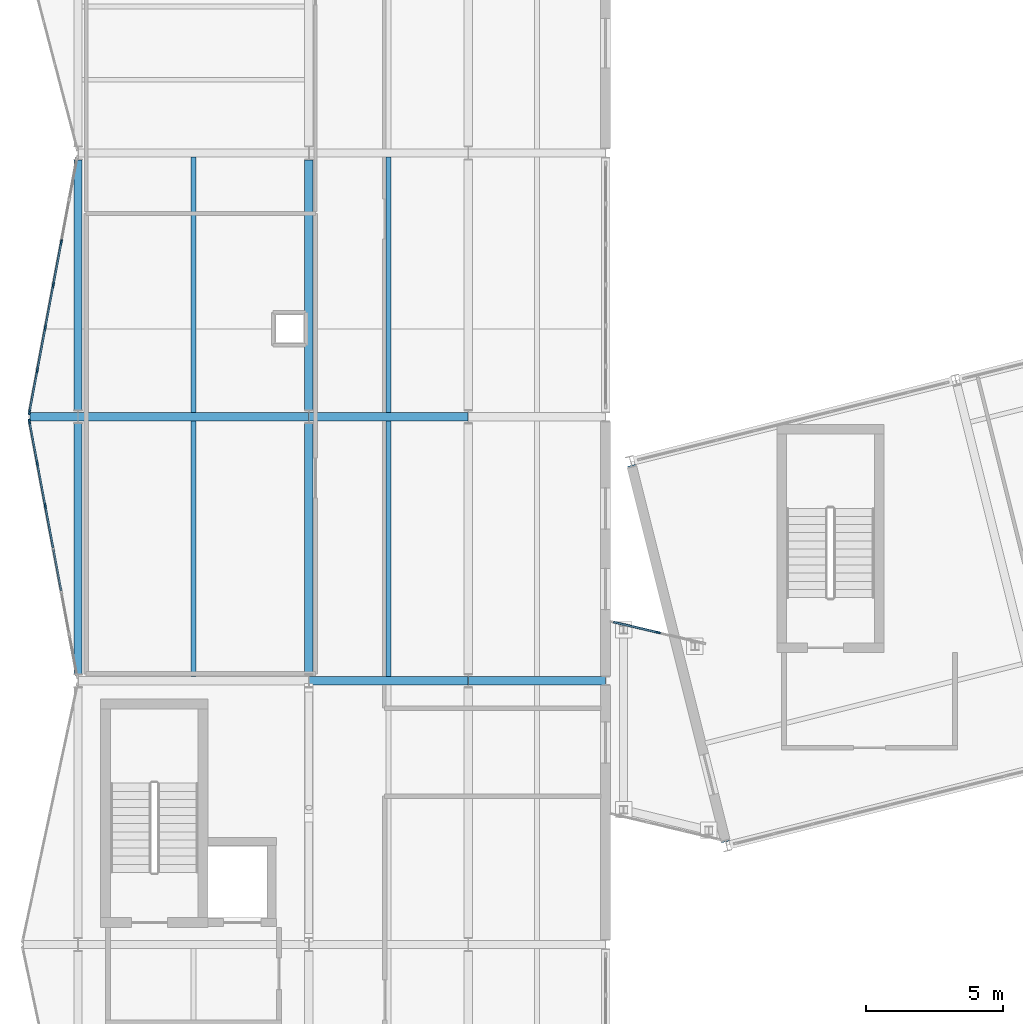
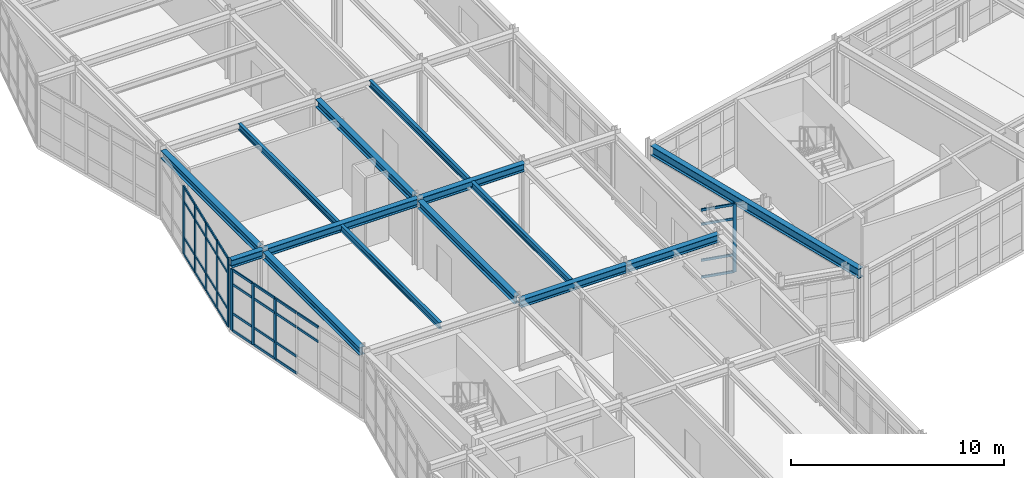
# One storey, part 16 of 76: 43 members, 14 beams, 3 elements without a shape of their own.
"""IFC4 building model written with IfcOpenShell, lengths in metres."""

from ifc_helpers import new_model, si_unit, direction, frame, origin, origin_2d, place, context, subcontext, project, spatial, rectangle, i_section, extrude, material, layer, layer_set, material_profile, profile_set, type_object, element, aggregate, save


model = new_model("IFC4")

# Units and contexts
model_context = context("Model", 3, precision=1e-05, world=origin(), true_north=direction((0.0, 1.0)))
body_context = subcontext(model_context, "Body", "Model", "MODEL_VIEW")
ifc_project = project(units=[si_unit("LENGTHUNIT", "METRE"), si_unit("AREAUNIT", "SQUARE_METRE"), si_unit("VOLUMEUNIT", "CUBIC_METRE"), si_unit("PLANEANGLEUNIT", "RADIAN"), si_unit("MASSUNIT", "GRAM", prefix="KILO")], contexts=[model_context])

# Site, building, storey
site_placement = place(None, origin())
site = spatial("IfcSite", under=ifc_project, at=site_placement, CompositionType="ELEMENT")
building_placement = place(site_placement, origin())
building = spatial("IfcBuilding", under=site, at=building_placement, Name="Nordkorset Police Headquarters", CompositionType="ELEMENT")
storey_placement = place(building_placement, frame((0.0, 0.0, 13.64990234375)))
storey = spatial("IfcBuildingStorey", under=building, at=storey_placement, Name="L03", CompositionType="ELEMENT", Elevation=13.64990234375)

# Beams
ifc_material_1 = material(Name="Steel S355J2", Category="steel")
ifc_material_profile_1 = material_profile(ifc_material_1, i_section(OverallWidth=0.169921875, OverallDepth=0.360107421875, WebThickness=0.008056640625, FlangeThickness=0.0126953125, FilletRadius=0.01806640625, at=origin_2d()), Name="IPE 360")
ifc_profile_set_1 = profile_set([ifc_material_profile_1], Name="Steel S355J2")
beam_type_1 = type_object("IfcBeamType", Name="Beam_IPE_360", PredefinedType="BEAM", material=ifc_profile_set_1)
for number, where, z_axis, x_axis, name in (
    (1, (4.199951171875, 48.14990234375, 3.800048828125), (0.0, 1.0, 0.0), (-1.0, 0.0, 0.0), "Composite Floor Beam V3 L03 0-2-1"),
    (2, (4.199951171875, 57.75, 3.800048828125), (0.0, 1.0, 0.0), (-1.0, 0.0, 0.0), "Composite Floor Beam V3 L03 0-3-1"),
    (3, (11.300048828125, 48.14990234375, 3.800048828125), (0.0, 1.0, 0.0), (-1.0, 0.0, 0.0), "Composite Floor Beam V3 L03 1-2-1"),
    (4, (11.300048828125, 57.75, 3.800048828125), (0.0, 1.0, 0.0), (-1.0, 0.0, 0.0), "Composite Floor Beam V3 L03 1-3-1"),
):
    element("IfcBeam", number, at=place(storey_placement, frame(where, z_axis=z_axis, x_axis=x_axis)), inside=storey, type_object=beam_type_1, Name=name, PredefinedType="BEAM", context=body_context, shape_type="SweptSolid", body=[
        extrude(i_section(OverallWidth=0.169921875, OverallDepth=0.360107421875, WebThickness=0.008056640625, FlangeThickness=0.0126953125, FilletRadius=0.01806640625, at=origin_2d()), origin(), (0.0, 0.0, 1.0), 9.300048828125),
    ])

# Curtain wall, members
ifc_material_2 = material(Name="Aluminium alloy AW-6060", Category="aluminium")
ifc_layer_1 = layer(ifc_material_2, 0.179931640625, Name="Aluminium alloy AW-6060")
ifc_layer_set_1 = layer_set([ifc_layer_1], Name="Aluminium alloy AW-6060")
curtain_wall_type_1 = type_object("IfcCurtainWallType", Name="CW_Unit_949x352", PredefinedType="USERDEFINED", material=ifc_layer_set_1)
curtain_wall_1_placement = place(storey_placement, origin())
curtain_wall_1 = element("IfcCurtainWall", 5, at=curtain_wall_1_placement, inside=storey, type_object=curtain_wall_type_1, Name="Unitised Curtain Wall L03 V3W-2", ObjectType="UNITISED CURTAIN WALL", PredefinedType="USERDEFINED")
ifc_material_3 = material(Name="Aluminium alloy AW-6060", Category="aluminium")
ifc_material_profile_2 = material_profile(ifc_material_3, rectangle(XDim=0.06494140625, YDim=0.179931640625, at=origin_2d()), Name="ALU MULL 65x180")
ifc_profile_set_2 = profile_set([ifc_material_profile_2], Name="Aluminium alloy AW-6060")
member_type_1 = type_object("IfcMemberType", Name="CW_Mullion_65x180", PredefinedType="MULLION", material=ifc_profile_set_2)
member_1_placement = place(storey_placement, frame((-1.19140625, 54.354248046875, 0.0), z_axis=(0.0, 0.0, 1.0), x_axis=(-0.982872186935, -0.184288535048, 0.0)))
member_1 = element("IfcMember", 6, at=member_1_placement, type_object=member_type_1, Name="CW-84 mullion 5", PredefinedType="MULLION", context=body_context, shape_type="SweptSolid", body=[
    extrude(rectangle(XDim=0.06494140625, YDim=0.179931640625, at=origin_2d()), origin(), (0.0, 0.0, 1.0), 3.52001953125),
])
member_2_placement = place(storey_placement, frame((-1.48291015625, 55.908203125, 0.0), z_axis=(0.0, 0.0, 1.0), x_axis=(-0.982872186935, -0.184288535048, 0.0)))
member_2 = element("IfcMember", 7, at=member_2_placement, type_object=member_type_1, Name="CW-84 mullion 6", PredefinedType="MULLION", context=body_context, shape_type="SweptSolid", body=[
    extrude(rectangle(XDim=0.06494140625, YDim=0.179931640625, at=origin_2d()), origin(), (0.0, 0.0, 1.0), 3.52001953125),
])
member_3_placement = place(storey_placement, frame((-1.768310546875, 57.430419921875, 0.0), z_axis=(0.0, 0.0, 1.0), x_axis=(-0.982872186935, -0.184288535048, 0.0)))
member_3 = element("IfcMember", 8, at=member_3_placement, type_object=member_type_1, Name="CW-84 mullion 7", PredefinedType="MULLION", context=body_context, shape_type="SweptSolid", body=[
    extrude(rectangle(XDim=0.06494140625, YDim=0.179931640625, at=origin_2d()), origin(), (0.0, 0.0, 1.0), 3.52001953125),
])

ifc_material_4 = material(Name="Aluminium alloy AW-6060", Category="aluminium")
ifc_layer_2 = layer(ifc_material_4, 0.179931640625, Name="Aluminium alloy AW-6060")
ifc_layer_set_2 = layer_set([ifc_layer_2], Name="Aluminium alloy AW-6060")
curtain_wall_type_2 = type_object("IfcCurtainWallType", Name="CW_Unit_949x392", PredefinedType="USERDEFINED", material=ifc_layer_set_2)
curtain_wall_2_placement = place(storey_placement, origin())
curtain_wall_2 = element("IfcCurtainWall", 9, at=curtain_wall_2_placement, inside=storey, type_object=curtain_wall_type_2, Name="Unitised Curtain Wall L03 V3W-3", ObjectType="UNITISED CURTAIN WALL", PredefinedType="USERDEFINED")
member_4_placement = place(storey_placement, frame((-1.768310546875, 57.76953125, 0.0), z_axis=(0.0, 0.0, 1.0), x_axis=(-0.982872186935, 0.184288535048, 0.0)))
member_4 = element("IfcMember", 10, at=member_4_placement, type_object=member_type_1, Name="CW-49 mullion 1", PredefinedType="MULLION", context=body_context, shape_type="SweptSolid", body=[
    extrude(rectangle(XDim=0.06494140625, YDim=0.179931640625, at=origin_2d()), origin(), (0.0, 0.0, 1.0), 3.920166015625),
])
member_5_placement = place(storey_placement, frame((-1.48291015625, 59.291748046875, 0.0), z_axis=(0.0, 0.0, 1.0), x_axis=(-0.982872186935, 0.184288535048, 0.0)))
member_5 = element("IfcMember", 11, at=member_5_placement, type_object=member_type_1, Name="CW-49 mullion 2", PredefinedType="MULLION", context=body_context, shape_type="SweptSolid", body=[
    extrude(rectangle(XDim=0.06494140625, YDim=0.179931640625, at=origin_2d()), origin(), (0.0, 0.0, 1.0), 3.920166015625),
])
member_6_placement = place(storey_placement, frame((-1.19140625, 60.845947265625, 0.0), z_axis=(0.0, 0.0, 1.0), x_axis=(-0.982872186935, 0.184288535048, 0.0)))
member_6 = element("IfcMember", 12, at=member_6_placement, type_object=member_type_1, Name="CW-49 mullion 3", PredefinedType="MULLION", context=body_context, shape_type="SweptSolid", body=[
    extrude(rectangle(XDim=0.06494140625, YDim=0.179931640625, at=origin_2d()), origin(), (0.0, 0.0, 1.0), 3.920166015625),
])
member_7_placement = place(storey_placement, frame((-0.89990234375, 62.39990234375, 0.0), z_axis=(0.0, 0.0, 1.0), x_axis=(-0.982872186935, 0.184288535048, 0.0)))
member_7 = element("IfcMember", 13, at=member_7_placement, type_object=member_type_1, Name="CW-49 mullion 4", PredefinedType="MULLION", context=body_context, shape_type="SweptSolid", body=[
    extrude(rectangle(XDim=0.06494140625, YDim=0.179931640625, at=origin_2d()), origin(), (0.0, 0.0, 1.0), 3.920166015625),
])
member_8_placement = place(storey_placement, frame((-0.608642578125, 63.9541015625, 0.0), z_axis=(0.0, 0.0, 1.0), x_axis=(-0.982872186935, 0.184288535048, 0.0)))
member_8 = element("IfcMember", 14, at=member_8_placement, type_object=member_type_1, Name="CW-49 mullion 5", PredefinedType="MULLION", context=body_context, shape_type="SweptSolid", body=[
    extrude(rectangle(XDim=0.06494140625, YDim=0.179931640625, at=origin_2d()), origin(), (0.0, 0.0, 1.0), 3.920166015625),
])

# Curtain wall, member
ifc_material_5 = material(Name="Aluminium alloy AW-6060", Category="aluminium")
ifc_layer_3 = layer(ifc_material_5, 0.179931640625, Name="Aluminium alloy AW-6060")
ifc_layer_set_3 = layer_set([ifc_layer_3], Name="Aluminium alloy AW-6060")
curtain_wall_type_3 = type_object("IfcCurtainWallType", Name="CW_Unit_344x392", PredefinedType="USERDEFINED", material=ifc_layer_set_3)
curtain_wall_3_placement = place(storey_placement, origin())
curtain_wall_3 = element("IfcCurtainWall", 15, at=curtain_wall_3_placement, inside=storey, type_object=curtain_wall_type_3, Name="Unitised Curtain Wall L03 BRGW-N", ObjectType="UNITISED CURTAIN WALL", PredefinedType="USERDEFINED")
member_9_placement = place(storey_placement, frame((21.10009765625, 49.7548828125, 0.0), z_axis=(0.0, 0.0, 1.0), x_axis=(0.228892896387, 0.973451612554, 0.0)))
member_9 = element("IfcMember", 16, at=member_9_placement, type_object=member_type_1, Name="CW-51 mullion 2", PredefinedType="MULLION", context=body_context, shape_type="SweptSolid", body=[
    extrude(rectangle(XDim=0.06494140625, YDim=0.179931640625, at=origin_2d()), origin(), (0.0, 0.0, 1.0), 3.920166015625),
])

# Member
ifc_material_6 = material(Name="Aluminium alloy AW-6060", Category="aluminium")
ifc_material_profile_3 = material_profile(ifc_material_6, rectangle(XDim=0.06494140625, YDim=0.139892578125, at=origin_2d()), Name="ALU TRAN 65x140")
ifc_profile_set_3 = profile_set([ifc_material_profile_3], Name="Aluminium alloy AW-6060")
member_type_2 = type_object("IfcMemberType", Name="CW_Transom_65x140", PredefinedType="USERDEFINED", material=ifc_profile_set_3)
member_10_placement = place(storey_placement, frame((-0.614501953125, 51.27783203125, 2.670166015625), z_axis=(-0.1843663095, 0.98285760104, 0.0), x_axis=(-0.98285760104, -0.1843663095, 0.0)))
member_10 = element("IfcMember", 17, at=member_10_placement, type_object=member_type_2, Name="CW-84 transom 3.3", ObjectType="TRANSOM", PredefinedType="USERDEFINED", context=body_context, shape_type="SweptSolid", body=[
    extrude(rectangle(XDim=0.06494140625, YDim=0.139892578125, at=origin_2d()), origin(), (0.0, 0.0, 1.0), 1.51611328125),
])

member_11_placement = place(storey_placement, frame((-0.614501953125, 51.27783203125, 3.487548828125), z_axis=(-0.1843663095, 0.98285760104, 0.0), x_axis=(-0.98285760104, -0.1843663095, 0.0)))
member_11 = element("IfcMember", 18, at=member_11_placement, type_object=member_type_2, Name="CW-84 transom 3.4", ObjectType="TRANSOM", PredefinedType="USERDEFINED", context=body_context, shape_type="SweptSolid", body=[
    extrude(rectangle(XDim=0.06494140625, YDim=0.139892578125, at=origin_2d()), origin(), (0.0, 0.0, 1.0), 1.51611328125),
])

member_12_placement = place(storey_placement, frame((-0.906005859375, 52.83203125, 0.03271484375), z_axis=(-0.184210757138, 0.982886767107, 0.0), x_axis=(-0.982886767107, -0.184210757138, 0.0)))
member_12 = element("IfcMember", 19, at=member_12_placement, type_object=member_type_2, Name="CW-84 transom 4.1", ObjectType="TRANSOM", PredefinedType="USERDEFINED", context=body_context, shape_type="SweptSolid", body=[
    extrude(rectangle(XDim=0.06494140625, YDim=0.139892578125, at=origin_2d()), origin(), (0.0, 0.0, 1.0), 1.51611328125),
])

member_13_placement = place(storey_placement, frame((-0.906005859375, 52.83203125, 1.0), z_axis=(-0.184210757138, 0.982886767107, 0.0), x_axis=(-0.982886767107, -0.184210757138, 0.0)))
member_13 = element("IfcMember", 20, at=member_13_placement, type_object=member_type_2, Name="CW-84 transom 4.2", ObjectType="TRANSOM", PredefinedType="USERDEFINED", context=body_context, shape_type="SweptSolid", body=[
    extrude(rectangle(XDim=0.06494140625, YDim=0.139892578125, at=origin_2d()), origin(), (0.0, 0.0, 1.0), 1.51611328125),
])

member_14_placement = place(storey_placement, frame((-0.906005859375, 52.83203125, 2.670166015625), z_axis=(-0.184210757138, 0.982886767107, 0.0), x_axis=(-0.982886767107, -0.184210757138, 0.0)))
member_14 = element("IfcMember", 21, at=member_14_placement, type_object=member_type_2, Name="CW-84 transom 4.3", ObjectType="TRANSOM", PredefinedType="USERDEFINED", context=body_context, shape_type="SweptSolid", body=[
    extrude(rectangle(XDim=0.06494140625, YDim=0.139892578125, at=origin_2d()), origin(), (0.0, 0.0, 1.0), 1.51611328125),
])

member_15_placement = place(storey_placement, frame((-0.906005859375, 52.83203125, 3.487548828125), z_axis=(-0.184210757138, 0.982886767107, 0.0), x_axis=(-0.982886767107, -0.184210757138, 0.0)))
member_15 = element("IfcMember", 22, at=member_15_placement, type_object=member_type_2, Name="CW-84 transom 4.4", ObjectType="TRANSOM", PredefinedType="USERDEFINED", context=body_context, shape_type="SweptSolid", body=[
    extrude(rectangle(XDim=0.06494140625, YDim=0.139892578125, at=origin_2d()), origin(), (0.0, 0.0, 1.0), 1.51611328125),
])

member_16_placement = place(storey_placement, frame((-1.197509765625, 54.385986328125, 0.03271484375), z_axis=(-0.184210757138, 0.982886767107, 0.0), x_axis=(-0.982886767107, -0.184210757138, 0.0)))
member_16 = element("IfcMember", 23, at=member_16_placement, type_object=member_type_2, Name="CW-84 transom 5.1", ObjectType="TRANSOM", PredefinedType="USERDEFINED", context=body_context, shape_type="SweptSolid", body=[
    extrude(rectangle(XDim=0.06494140625, YDim=0.139892578125, at=origin_2d()), origin(), (0.0, 0.0, 1.0), 1.51611328125),
])

member_17_placement = place(storey_placement, frame((-1.197509765625, 54.385986328125, 1.0), z_axis=(-0.184210757138, 0.982886767107, 0.0), x_axis=(-0.982886767107, -0.184210757138, 0.0)))
member_17 = element("IfcMember", 24, at=member_17_placement, type_object=member_type_2, Name="CW-84 transom 5.2", ObjectType="TRANSOM", PredefinedType="USERDEFINED", context=body_context, shape_type="SweptSolid", body=[
    extrude(rectangle(XDim=0.06494140625, YDim=0.139892578125, at=origin_2d()), origin(), (0.0, 0.0, 1.0), 1.51611328125),
])

member_18_placement = place(storey_placement, frame((-1.197509765625, 54.385986328125, 2.670166015625), z_axis=(-0.184210757138, 0.982886767107, 0.0), x_axis=(-0.982886767107, -0.184210757138, 0.0)))
member_18 = element("IfcMember", 25, at=member_18_placement, type_object=member_type_2, Name="CW-84 transom 5.3", ObjectType="TRANSOM", PredefinedType="USERDEFINED", context=body_context, shape_type="SweptSolid", body=[
    extrude(rectangle(XDim=0.06494140625, YDim=0.139892578125, at=origin_2d()), origin(), (0.0, 0.0, 1.0), 1.51611328125),
])

member_19_placement = place(storey_placement, frame((-1.197509765625, 54.385986328125, 3.487548828125), z_axis=(-0.184210757138, 0.982886767107, 0.0), x_axis=(-0.982886767107, -0.184210757138, 0.0)))
member_19 = element("IfcMember", 26, at=member_19_placement, type_object=member_type_2, Name="CW-84 transom 5.4", ObjectType="TRANSOM", PredefinedType="USERDEFINED", context=body_context, shape_type="SweptSolid", body=[
    extrude(rectangle(XDim=0.06494140625, YDim=0.139892578125, at=origin_2d()), origin(), (0.0, 0.0, 1.0), 1.51611328125),
])

member_20_placement = place(storey_placement, frame((-1.48876953125, 55.940185546875, 0.03271484375), z_axis=(-0.184298470268, 0.982870324029, 0.0), x_axis=(-0.982870324029, -0.184298470268, 0.0)))
member_20 = element("IfcMember", 27, at=member_20_placement, type_object=member_type_2, Name="CW-84 transom 6.1", ObjectType="TRANSOM", PredefinedType="USERDEFINED", context=body_context, shape_type="SweptSolid", body=[
    extrude(rectangle(XDim=0.06494140625, YDim=0.139892578125, at=origin_2d()), origin(), (0.0, 0.0, 1.0), 1.483642578125),
])

member_21_placement = place(storey_placement, frame((-1.48876953125, 55.940185546875, 1.0), z_axis=(-0.184298470268, 0.982870324029, 0.0), x_axis=(-0.982870324029, -0.184298470268, 0.0)))
member_21 = element("IfcMember", 28, at=member_21_placement, type_object=member_type_2, Name="CW-84 transom 6.2", ObjectType="TRANSOM", PredefinedType="USERDEFINED", context=body_context, shape_type="SweptSolid", body=[
    extrude(rectangle(XDim=0.06494140625, YDim=0.139892578125, at=origin_2d()), origin(), (0.0, 0.0, 1.0), 1.483642578125),
])

member_22_placement = place(storey_placement, frame((-1.48876953125, 55.940185546875, 2.670166015625), z_axis=(-0.184298470268, 0.982870324029, 0.0), x_axis=(-0.982870324029, -0.184298470268, 0.0)))
member_22 = element("IfcMember", 29, at=member_22_placement, type_object=member_type_2, Name="CW-84 transom 6.3", ObjectType="TRANSOM", PredefinedType="USERDEFINED", context=body_context, shape_type="SweptSolid", body=[
    extrude(rectangle(XDim=0.06494140625, YDim=0.139892578125, at=origin_2d()), origin(), (0.0, 0.0, 1.0), 1.483642578125),
])

member_23_placement = place(storey_placement, frame((-1.48876953125, 55.940185546875, 3.487548828125), z_axis=(-0.184298470268, 0.982870324029, 0.0), x_axis=(-0.982870324029, -0.184298470268, 0.0)))
member_23 = element("IfcMember", 30, at=member_23_placement, type_object=member_type_2, Name="CW-84 transom 6.4", ObjectType="TRANSOM", PredefinedType="USERDEFINED", context=body_context, shape_type="SweptSolid", body=[
    extrude(rectangle(XDim=0.06494140625, YDim=0.139892578125, at=origin_2d()), origin(), (0.0, 0.0, 1.0), 1.483642578125),
])

aggregate(curtain_wall_1, [member_1, member_2, member_3, member_10, member_11, member_12, member_13, member_14, member_15, member_16, member_17, member_18, member_19, member_20, member_21, member_22, member_23])

member_24_placement = place(storey_placement, frame((-1.76220703125, 57.801513671875, 0.03271484375), z_axis=(0.184298470268, 0.982870324029, 0.0), x_axis=(-0.982870324029, 0.184298470268, 0.0)))
member_24 = element("IfcMember", 31, at=member_24_placement, type_object=member_type_2, Name="CW-49 transom 1.1", ObjectType="TRANSOM", PredefinedType="USERDEFINED", context=body_context, shape_type="SweptSolid", body=[
    extrude(rectangle(XDim=0.06494140625, YDim=0.139892578125, at=origin_2d()), origin(), (0.0, 0.0, 1.0), 1.483642578125),
])

member_25_placement = place(storey_placement, frame((-1.76220703125, 57.801513671875, 1.0), z_axis=(0.184298470268, 0.982870324029, 0.0), x_axis=(-0.982870324029, 0.184298470268, 0.0)))
member_25 = element("IfcMember", 32, at=member_25_placement, type_object=member_type_2, Name="CW-49 transom 1.2", ObjectType="TRANSOM", PredefinedType="USERDEFINED", context=body_context, shape_type="SweptSolid", body=[
    extrude(rectangle(XDim=0.06494140625, YDim=0.139892578125, at=origin_2d()), origin(), (0.0, 0.0, 1.0), 1.483642578125),
])

member_26_placement = place(storey_placement, frame((-1.76220703125, 57.801513671875, 3.070068359375), z_axis=(0.184298470268, 0.982870324029, 0.0), x_axis=(-0.982870324029, 0.184298470268, 0.0)))
member_26 = element("IfcMember", 33, at=member_26_placement, type_object=member_type_2, Name="CW-49 transom 1.3", ObjectType="TRANSOM", PredefinedType="USERDEFINED", context=body_context, shape_type="SweptSolid", body=[
    extrude(rectangle(XDim=0.06494140625, YDim=0.139892578125, at=origin_2d()), origin(), (0.0, 0.0, 1.0), 1.483642578125),
])

member_27_placement = place(storey_placement, frame((-1.76220703125, 57.801513671875, 3.8876953125), z_axis=(0.184298470268, 0.982870324029, 0.0), x_axis=(-0.982870324029, 0.184298470268, 0.0)))
member_27 = element("IfcMember", 34, at=member_27_placement, type_object=member_type_2, Name="CW-49 transom 1.4", ObjectType="TRANSOM", PredefinedType="USERDEFINED", context=body_context, shape_type="SweptSolid", body=[
    extrude(rectangle(XDim=0.06494140625, YDim=0.139892578125, at=origin_2d()), origin(), (0.0, 0.0, 1.0), 1.483642578125),
])

member_28_placement = place(storey_placement, frame((-1.476806640625, 59.32373046875, 0.03271484375), z_axis=(0.184210757138, 0.982886767107, 0.0), x_axis=(-0.982886767107, 0.184210757138, 0.0)))
member_28 = element("IfcMember", 35, at=member_28_placement, type_object=member_type_2, Name="CW-49 transom 2.1", ObjectType="TRANSOM", PredefinedType="USERDEFINED", context=body_context, shape_type="SweptSolid", body=[
    extrude(rectangle(XDim=0.06494140625, YDim=0.139892578125, at=origin_2d()), origin(), (0.0, 0.0, 1.0), 1.51611328125),
])

member_29_placement = place(storey_placement, frame((-1.476806640625, 59.32373046875, 1.0), z_axis=(0.184210757138, 0.982886767107, 0.0), x_axis=(-0.982886767107, 0.184210757138, 0.0)))
member_29 = element("IfcMember", 36, at=member_29_placement, type_object=member_type_2, Name="CW-49 transom 2.2", ObjectType="TRANSOM", PredefinedType="USERDEFINED", context=body_context, shape_type="SweptSolid", body=[
    extrude(rectangle(XDim=0.06494140625, YDim=0.139892578125, at=origin_2d()), origin(), (0.0, 0.0, 1.0), 1.51611328125),
])

member_30_placement = place(storey_placement, frame((-1.476806640625, 59.32373046875, 3.070068359375), z_axis=(0.184210757138, 0.982886767107, 0.0), x_axis=(-0.982886767107, 0.184210757138, 0.0)))
member_30 = element("IfcMember", 37, at=member_30_placement, type_object=member_type_2, Name="CW-49 transom 2.3", ObjectType="TRANSOM", PredefinedType="USERDEFINED", context=body_context, shape_type="SweptSolid", body=[
    extrude(rectangle(XDim=0.06494140625, YDim=0.139892578125, at=origin_2d()), origin(), (0.0, 0.0, 1.0), 1.51611328125),
])

member_31_placement = place(storey_placement, frame((-1.476806640625, 59.32373046875, 3.8876953125), z_axis=(0.184210757138, 0.982886767107, 0.0), x_axis=(-0.982886767107, 0.184210757138, 0.0)))
member_31 = element("IfcMember", 38, at=member_31_placement, type_object=member_type_2, Name="CW-49 transom 2.4", ObjectType="TRANSOM", PredefinedType="USERDEFINED", context=body_context, shape_type="SweptSolid", body=[
    extrude(rectangle(XDim=0.06494140625, YDim=0.139892578125, at=origin_2d()), origin(), (0.0, 0.0, 1.0), 1.51611328125),
])

member_32_placement = place(storey_placement, frame((-1.185302734375, 60.8779296875, 0.03271484375), z_axis=(0.184210757138, 0.982886767107, 0.0), x_axis=(-0.982886767107, 0.184210757138, 0.0)))
member_32 = element("IfcMember", 39, at=member_32_placement, type_object=member_type_2, Name="CW-49 transom 3.1", ObjectType="TRANSOM", PredefinedType="USERDEFINED", context=body_context, shape_type="SweptSolid", body=[
    extrude(rectangle(XDim=0.06494140625, YDim=0.139892578125, at=origin_2d()), origin(), (0.0, 0.0, 1.0), 1.51611328125),
])

member_33_placement = place(storey_placement, frame((-1.185302734375, 60.8779296875, 1.0), z_axis=(0.184210757138, 0.982886767107, 0.0), x_axis=(-0.982886767107, 0.184210757138, 0.0)))
member_33 = element("IfcMember", 40, at=member_33_placement, type_object=member_type_2, Name="CW-49 transom 3.2", ObjectType="TRANSOM", PredefinedType="USERDEFINED", context=body_context, shape_type="SweptSolid", body=[
    extrude(rectangle(XDim=0.06494140625, YDim=0.139892578125, at=origin_2d()), origin(), (0.0, 0.0, 1.0), 1.51611328125),
])

member_34_placement = place(storey_placement, frame((-1.185302734375, 60.8779296875, 3.070068359375), z_axis=(0.184210757138, 0.982886767107, 0.0), x_axis=(-0.982886767107, 0.184210757138, 0.0)))
member_34 = element("IfcMember", 41, at=member_34_placement, type_object=member_type_2, Name="CW-49 transom 3.3", ObjectType="TRANSOM", PredefinedType="USERDEFINED", context=body_context, shape_type="SweptSolid", body=[
    extrude(rectangle(XDim=0.06494140625, YDim=0.139892578125, at=origin_2d()), origin(), (0.0, 0.0, 1.0), 1.51611328125),
])

member_35_placement = place(storey_placement, frame((-1.185302734375, 60.8779296875, 3.8876953125), z_axis=(0.184210757138, 0.982886767107, 0.0), x_axis=(-0.982886767107, 0.184210757138, 0.0)))
member_35 = element("IfcMember", 42, at=member_35_placement, type_object=member_type_2, Name="CW-49 transom 3.4", ObjectType="TRANSOM", PredefinedType="USERDEFINED", context=body_context, shape_type="SweptSolid", body=[
    extrude(rectangle(XDim=0.06494140625, YDim=0.139892578125, at=origin_2d()), origin(), (0.0, 0.0, 1.0), 1.51611328125),
])

member_36_placement = place(storey_placement, frame((-0.89404296875, 62.431884765625, 0.03271484375), z_axis=(0.1843663095, 0.98285760104, 0.0), x_axis=(-0.98285760104, 0.1843663095, 0.0)))
member_36 = element("IfcMember", 43, at=member_36_placement, type_object=member_type_2, Name="CW-49 transom 4.1", ObjectType="TRANSOM", PredefinedType="USERDEFINED", context=body_context, shape_type="SweptSolid", body=[
    extrude(rectangle(XDim=0.06494140625, YDim=0.139892578125, at=origin_2d()), origin(), (0.0, 0.0, 1.0), 1.51611328125),
])

member_37_placement = place(storey_placement, frame((-0.89404296875, 62.431884765625, 1.0), z_axis=(0.1843663095, 0.98285760104, 0.0), x_axis=(-0.98285760104, 0.1843663095, 0.0)))
member_37 = element("IfcMember", 44, at=member_37_placement, type_object=member_type_2, Name="CW-49 transom 4.2", ObjectType="TRANSOM", PredefinedType="USERDEFINED", context=body_context, shape_type="SweptSolid", body=[
    extrude(rectangle(XDim=0.06494140625, YDim=0.139892578125, at=origin_2d()), origin(), (0.0, 0.0, 1.0), 1.51611328125),
])

member_38_placement = place(storey_placement, frame((-0.89404296875, 62.431884765625, 3.070068359375), z_axis=(0.1843663095, 0.98285760104, 0.0), x_axis=(-0.98285760104, 0.1843663095, 0.0)))
member_38 = element("IfcMember", 45, at=member_38_placement, type_object=member_type_2, Name="CW-49 transom 4.3", ObjectType="TRANSOM", PredefinedType="USERDEFINED", context=body_context, shape_type="SweptSolid", body=[
    extrude(rectangle(XDim=0.06494140625, YDim=0.139892578125, at=origin_2d()), origin(), (0.0, 0.0, 1.0), 1.51611328125),
])

member_39_placement = place(storey_placement, frame((-0.89404296875, 62.431884765625, 3.8876953125), z_axis=(0.1843663095, 0.98285760104, 0.0), x_axis=(-0.98285760104, 0.1843663095, 0.0)))
member_39 = element("IfcMember", 46, at=member_39_placement, type_object=member_type_2, Name="CW-49 transom 4.4", ObjectType="TRANSOM", PredefinedType="USERDEFINED", context=body_context, shape_type="SweptSolid", body=[
    extrude(rectangle(XDim=0.06494140625, YDim=0.139892578125, at=origin_2d()), origin(), (0.0, 0.0, 1.0), 1.51611328125),
])

aggregate(curtain_wall_2, [member_4, member_5, member_6, member_7, member_8, member_24, member_25, member_26, member_27, member_28, member_29, member_30, member_31, member_32, member_33, member_34, member_35, member_36, member_37, member_38, member_39])

member_40_placement = place(storey_placement, frame((19.488525390625, 50.134033203125, 0.03271484375), z_axis=(0.973436893335, -0.228955486271, 0.0), x_axis=(0.228955486271, 0.973436893335, 0.0)))
member_40 = element("IfcMember", 47, at=member_40_placement, type_object=member_type_2, Name="CW-51 transom 1.1", ObjectType="TRANSOM", PredefinedType="USERDEFINED", context=body_context, shape_type="SweptSolid", body=[
    extrude(rectangle(XDim=0.06494140625, YDim=0.139892578125, at=origin_2d()), origin(), (0.0, 0.0, 1.0), 1.623046875),
])

member_41_placement = place(storey_placement, frame((19.488525390625, 50.134033203125, 1.0), z_axis=(0.973436893335, -0.228955486271, 0.0), x_axis=(0.228955486271, 0.973436893335, 0.0)))
member_41 = element("IfcMember", 48, at=member_41_placement, type_object=member_type_2, Name="CW-51 transom 1.2", ObjectType="TRANSOM", PredefinedType="USERDEFINED", context=body_context, shape_type="SweptSolid", body=[
    extrude(rectangle(XDim=0.06494140625, YDim=0.139892578125, at=origin_2d()), origin(), (0.0, 0.0, 1.0), 1.623046875),
])

member_42_placement = place(storey_placement, frame((19.488525390625, 50.134033203125, 3.070068359375), z_axis=(0.973436893335, -0.228955486271, 0.0), x_axis=(0.228955486271, 0.973436893335, 0.0)))
member_42 = element("IfcMember", 49, at=member_42_placement, type_object=member_type_2, Name="CW-51 transom 1.3", ObjectType="TRANSOM", PredefinedType="USERDEFINED", context=body_context, shape_type="SweptSolid", body=[
    extrude(rectangle(XDim=0.06494140625, YDim=0.139892578125, at=origin_2d()), origin(), (0.0, 0.0, 1.0), 1.623046875),
])

member_43_placement = place(storey_placement, frame((19.488525390625, 50.134033203125, 3.8876953125), z_axis=(0.973436893335, -0.228955486271, 0.0), x_axis=(0.228955486271, 0.973436893335, 0.0)))
member_43 = element("IfcMember", 50, at=member_43_placement, type_object=member_type_2, Name="CW-51 transom 1.4", ObjectType="TRANSOM", PredefinedType="USERDEFINED", context=body_context, shape_type="SweptSolid", body=[
    extrude(rectangle(XDim=0.06494140625, YDim=0.139892578125, at=origin_2d()), origin(), (0.0, 0.0, 1.0), 1.623046875),
])

aggregate(curtain_wall_3, [member_9, member_40, member_41, member_42, member_43])

# Beams
ifc_material_7 = material(Name="Steel S355J2", Category="steel")
ifc_material_profile_4 = material_profile(ifc_material_7, i_section(OverallWidth=0.300048828125, OverallDepth=0.43994140625, WebThickness=0.011474609375, FlangeThickness=0.02099609375, FilletRadius=0.027099609375, at=origin_2d()), Name="HEA 450")
ifc_profile_set_4 = profile_set([ifc_material_profile_4], Name="Steel S355J2")
beam_type_2 = type_object("IfcBeamType", Name="Girder_HEA_450", PredefinedType="USERDEFINED", material=ifc_profile_set_4)
beam_1_placement = place(storey_placement, frame((8.4072265625, 48.0, 3.7451171875), z_axis=(1.0, 0.0, 0.0), x_axis=(0.0, 1.0, 0.0)))
element("IfcBeam", 51, at=beam_1_placement, inside=storey, type_object=beam_type_2, Name="Girder V3 L03 GX-2-1", ObjectType="GIRDER", PredefinedType="USERDEFINED", context=body_context, shape_type="SweptSolid", body=[
    extrude(i_section(OverallWidth=0.300048828125, OverallDepth=0.43994140625, WebThickness=0.011474609375, FlangeThickness=0.02099609375, FilletRadius=0.027099609375, at=origin_2d()), origin(), (0.0, 0.0, 1.0), 5.785400390625),
])
beam_2_placement = place(storey_placement, frame((14.207275390625, 48.0, 3.7451171875), z_axis=(1.0, 0.0, 0.0), x_axis=(0.0, 1.0, 0.0)))
element("IfcBeam", 52, at=beam_2_placement, inside=storey, type_object=beam_type_2, Name="Girder V3 L03 GX-2-2", ObjectType="GIRDER", PredefinedType="USERDEFINED", context=body_context, shape_type="SweptSolid", body=[
    extrude(i_section(OverallWidth=0.300048828125, OverallDepth=0.43994140625, WebThickness=0.011474609375, FlangeThickness=0.02099609375, FilletRadius=0.027099609375, at=origin_2d()), origin(), (0.0, 0.0, 1.0), 4.98681640625),
])
beam_3_placement = place(storey_placement, frame((0.00732421875, 57.60009765625, 3.760009765625), z_axis=(1.0, 0.0, 0.0), x_axis=(0.0, 1.0, 0.0)))
element("IfcBeam", 53, at=beam_3_placement, inside=storey, type_object=beam_type_2, Name="Girder V3 L03 GX-3-0", ObjectType="GIRDER", PredefinedType="USERDEFINED", context=body_context, shape_type="SweptSolid", body=[
    extrude(i_section(OverallWidth=0.300048828125, OverallDepth=0.43994140625, WebThickness=0.011474609375, FlangeThickness=0.02099609375, FilletRadius=0.027099609375, at=origin_2d()), origin(), (0.0, 0.0, 1.0), 8.38525390625),
])
beam_4_placement = place(storey_placement, frame((8.4072265625, 57.60009765625, 3.7451171875), z_axis=(1.0, 0.0, 0.0), x_axis=(0.0, 1.0, 0.0)))
element("IfcBeam", 54, at=beam_4_placement, inside=storey, type_object=beam_type_2, Name="Girder V3 L03 GX-3-1", ObjectType="GIRDER", PredefinedType="USERDEFINED", context=body_context, shape_type="SweptSolid", body=[
    extrude(i_section(OverallWidth=0.300048828125, OverallDepth=0.43994140625, WebThickness=0.011474609375, FlangeThickness=0.02099609375, FilletRadius=0.027099609375, at=origin_2d()), origin(), (0.0, 0.0, 1.0), 5.785400390625),
])
beam_5_placement = place(storey_placement, frame((0.0, 48.25, 3.760009765625), z_axis=(0.0, 1.0, 0.0), x_axis=(-1.0, 0.0, 0.0)))
element("IfcBeam", 55, at=beam_5_placement, inside=storey, type_object=beam_type_2, Name="Girder V3 L03 GY-0-2", ObjectType="GIRDER", PredefinedType="USERDEFINED", context=body_context, shape_type="SweptSolid", body=[
    extrude(i_section(OverallWidth=0.300048828125, OverallDepth=0.43994140625, WebThickness=0.011474609375, FlangeThickness=0.02099609375, FilletRadius=0.027099609375, at=origin_2d()), origin(), (0.0, 0.0, 1.0), 9.10009765625),
])
beam_6_placement = place(storey_placement, frame((0.0, 57.85009765625, 3.760009765625), z_axis=(0.0, 1.0, 0.0), x_axis=(-1.0, 0.0, 0.0)))
element("IfcBeam", 56, at=beam_6_placement, inside=storey, type_object=beam_type_2, Name="Girder V3 L03 GY-0-3", ObjectType="GIRDER", PredefinedType="USERDEFINED", context=body_context, shape_type="SweptSolid", body=[
    extrude(i_section(OverallWidth=0.300048828125, OverallDepth=0.43994140625, WebThickness=0.011474609375, FlangeThickness=0.02099609375, FilletRadius=0.027099609375, at=origin_2d()), origin(), (0.0, 0.0, 1.0), 9.099853515625),
])
beam_7_placement = place(storey_placement, frame((8.39990234375, 48.25, 3.760009765625), z_axis=(0.0, 1.0, 0.0), x_axis=(-1.0, 0.0, 0.0)))
element("IfcBeam", 57, at=beam_7_placement, inside=storey, type_object=beam_type_2, Name="Girder V3 L03 GY-1-2", ObjectType="GIRDER", PredefinedType="USERDEFINED", context=body_context, shape_type="SweptSolid", body=[
    extrude(i_section(OverallWidth=0.300048828125, OverallDepth=0.43994140625, WebThickness=0.011474609375, FlangeThickness=0.02099609375, FilletRadius=0.027099609375, at=origin_2d()), origin(), (0.0, 0.0, 1.0), 9.10009765625),
])
beam_8_placement = place(storey_placement, frame((8.39990234375, 57.85009765625, 3.760009765625), z_axis=(0.0, 1.0, 0.0), x_axis=(-1.0, 0.0, 0.0)))
element("IfcBeam", 58, at=beam_8_placement, inside=storey, type_object=beam_type_2, Name="Girder V3 L03 GY-1-3", ObjectType="GIRDER", PredefinedType="USERDEFINED", context=body_context, shape_type="SweptSolid", body=[
    extrude(i_section(OverallWidth=0.300048828125, OverallDepth=0.43994140625, WebThickness=0.011474609375, FlangeThickness=0.02099609375, FilletRadius=0.027099609375, at=origin_2d()), origin(), (0.0, 0.0, 1.0), 9.099853515625),
])
beam_9_placement = place(storey_placement, frame((-0.00732421875, 57.60009765625, 3.760009765625), z_axis=(-1.0, 0.0, 0.0), x_axis=(0.0, -1.0, 0.0)))
element("IfcBeam", 59, at=beam_9_placement, inside=storey, type_object=beam_type_2, Name="Sawtooth Facade Outrigger V3 L03 57", ObjectType="GIRDER", PredefinedType="USERDEFINED", context=body_context, shape_type="SweptSolid", body=[
    extrude(i_section(OverallWidth=0.300048828125, OverallDepth=0.43994140625, WebThickness=0.011474609375, FlangeThickness=0.02099609375, FilletRadius=0.027099609375, at=origin_2d()), origin(), (0.0, 0.0, 1.0), 1.732666015625),
])
ifc_material_8 = material(Name="Steel S355J2", Category="steel")
ifc_material_profile_5 = material_profile(ifc_material_8, i_section(OverallWidth=0.300048828125, OverallDepth=0.5400390625, WebThickness=0.012451171875, FlangeThickness=0.02392578125, FilletRadius=0.027099609375, at=origin_2d()), Name="HEA 550")
ifc_profile_set_5 = profile_set([ifc_material_profile_5], Name="Steel S355J2")
beam_type_3 = type_object("IfcBeamType", Name="Girder_HEA_550", PredefinedType="USERDEFINED", material=ifc_profile_set_5)
beam_10_placement = place(storey_placement, frame((23.566162109375, 42.1357421875, 3.695068359375), z_axis=(-0.24254782991, 0.970139448845, 0.0), x_axis=(-0.970139448845, -0.24254782991, 0.0)))
element("IfcBeam", 60, at=beam_10_placement, inside=storey, type_object=beam_type_3, Name="Splayed Wing Transverse Girder L03 0", ObjectType="GIRDER", PredefinedType="USERDEFINED", context=body_context, shape_type="SweptSolid", body=[
    extrude(i_section(OverallWidth=0.300048828125, OverallDepth=0.5400390625, WebThickness=0.012451171875, FlangeThickness=0.02392578125, FilletRadius=0.027099609375, at=origin_2d()), origin(), (0.0, 0.0, 1.0), 14.1201171875),
])

save(model, "model.ifc")
